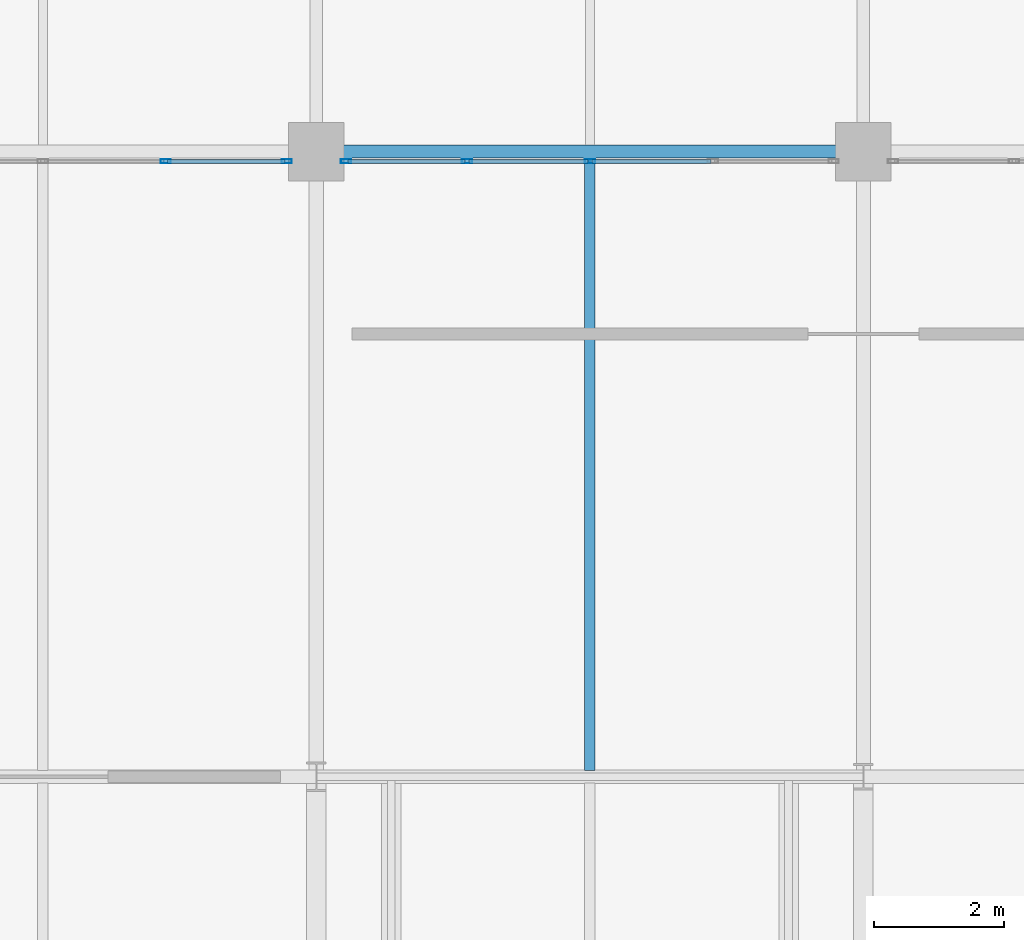
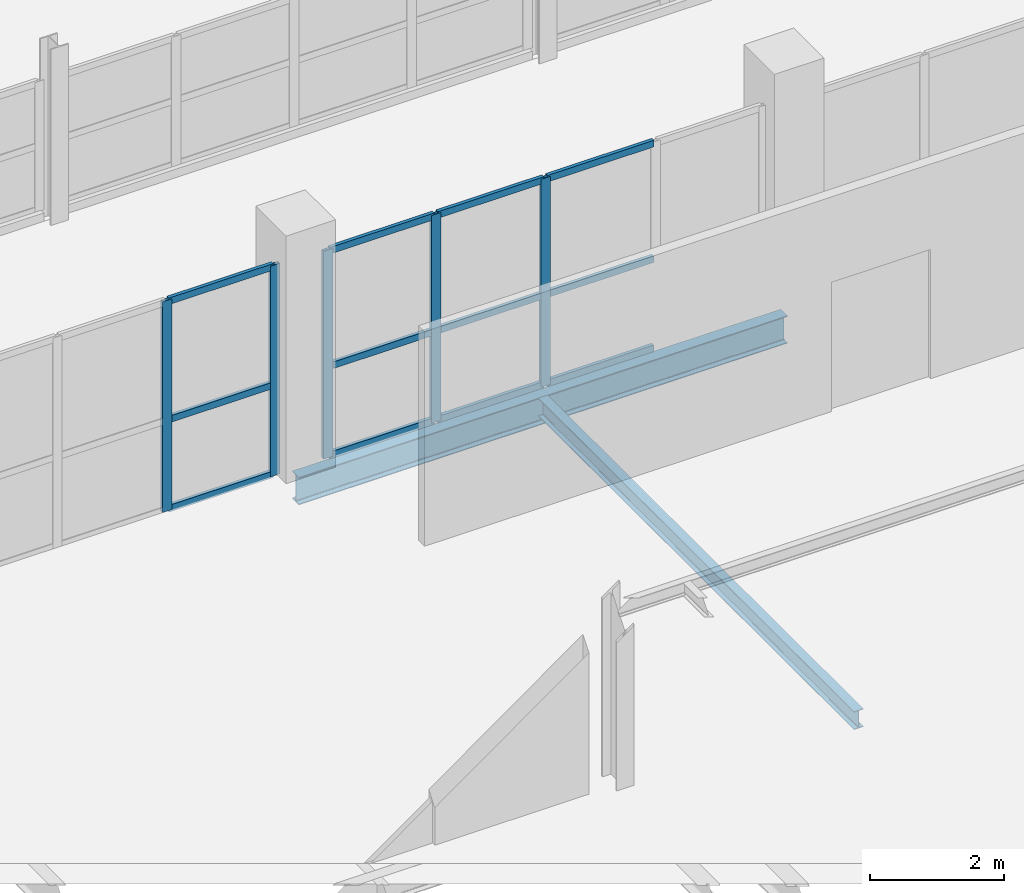
# One storey, part 22 of 103: 17 members, 2 beams, 2 elements without a shape of their own.
"""IFC4 building model written with IfcOpenShell, lengths in metres."""

from ifc_helpers import new_model, si_unit, direction, frame, origin, origin_2d, place, context, subcontext, project, spatial, hollow_rectangle, i_section, extrude, material, material_profile, profile_set, type_object, element, aggregate, save


model = new_model("IFC4")

# Units and contexts
model_context = context("Model", 3, precision=1e-05, world=origin(), true_north=direction((0.0, 1.0)))
body_context = subcontext(model_context, "Body", "Model", "MODEL_VIEW")
ifc_project = project(units=[si_unit("LENGTHUNIT", "METRE"), si_unit("AREAUNIT", "SQUARE_METRE"), si_unit("VOLUMEUNIT", "CUBIC_METRE"), si_unit("PLANEANGLEUNIT", "RADIAN"), si_unit("MASSUNIT", "GRAM", prefix="KILO")], contexts=[model_context])

# Site, building, storey
site_placement = place(None, origin())
site = spatial("IfcSite", under=ifc_project, at=site_placement, CompositionType="ELEMENT")
building_placement = place(site_placement, origin())
building = spatial("IfcBuilding", under=site, at=building_placement, Name="Veltarok Museum of Natural Sciences", CompositionType="ELEMENT")
storey_placement = place(building_placement, frame((0.0, 0.0, 21.89990234375)))
storey = spatial("IfcBuildingStorey", under=building, at=storey_placement, Name="L04", CompositionType="ELEMENT", Elevation=21.89990234375)

# Curtain wall, members
ifc_material_1 = material(Name="Low-iron triple insulated glass", Category="glass")
curtain_wall_type_1 = type_object("IfcCurtainWallType", Name="Curtain Wall System CW-V1CN4-L04-1-755x383 (CW-V1CN4 L04 755x383cm)", PredefinedType="NOTDEFINED", material=ifc_material_1)
curtain_wall_1_placement = place(storey_placement, origin())
curtain_wall_1 = element("IfcCurtainWall", 1, at=curtain_wall_1_placement, inside=storey, type_object=curtain_wall_type_1, Name="Curtain Wall CW-V1CN4-L04-1-755x383 CW-0165", PredefinedType="NOTDEFINED")
ifc_material_2 = material(Name="Thermally broken anodised aluminium", Category="aluminium")
ifc_material_profile_1 = material_profile(ifc_material_2, hollow_rectangle(XDim=0.06005859375, YDim=0.1201171875, WallThickness=0.0048828125, at=origin_2d()), Name="CW TRANSOM 60x120x5")
ifc_profile_set_1 = profile_set([ifc_material_profile_1], Name="Thermally broken anodised aluminium")
member_type_1 = type_object("IfcMemberType", Name="Curtain Wall Horizontal Transom 60x120x5", PredefinedType="USERDEFINED", material=ifc_profile_set_1)
member_1_placement = place(storey_placement, frame((64.715087890625, 19.050048828125, 0.028076171875), z_axis=(-1.0, 0.0, 0.0), x_axis=(0.0, -1.0, 0.0)))
member_1 = element("IfcMember", 2, at=member_1_placement, type_object=member_type_1, Name="CW-V1CN4-L04-1-755x383 transom 1.1", ObjectType="TRANSOM", PredefinedType="USERDEFINED", context=body_context, shape_type="SweptSolid", body=[
    extrude(hollow_rectangle(XDim=0.06005859375, YDim=0.1201171875, WallThickness=0.0048828125, at=origin_2d()), origin(), (0.0, 0.0, 1.0), 1.797607421875),
])
member_2_placement = place(storey_placement, frame((64.715087890625, 19.050048828125, 1.648193359375), z_axis=(-1.0, 0.0, 0.0), x_axis=(0.0, -1.0, 0.0)))
member_2 = element("IfcMember", 3, at=member_2_placement, type_object=member_type_1, Name="CW-V1CN4-L04-1-755x383 transom 1.2", ObjectType="TRANSOM", PredefinedType="USERDEFINED", context=body_context, shape_type="SweptSolid", body=[
    extrude(hollow_rectangle(XDim=0.06005859375, YDim=0.1201171875, WallThickness=0.0048828125, at=origin_2d()), origin(), (0.0, 0.0, 1.0), 1.797607421875),
])
member_3_placement = place(storey_placement, frame((64.715087890625, 19.050048828125, 3.800048828125), z_axis=(-1.0, 0.0, 0.0), x_axis=(0.0, -1.0, 0.0)))
member_3 = element("IfcMember", 4, at=member_3_placement, type_object=member_type_1, Name="CW-V1CN4-L04-1-755x383 transom 1.3", ObjectType="TRANSOM", PredefinedType="USERDEFINED", context=body_context, shape_type="SweptSolid", body=[
    extrude(hollow_rectangle(XDim=0.06005859375, YDim=0.1201171875, WallThickness=0.0048828125, at=origin_2d()), origin(), (0.0, 0.0, 1.0), 1.797607421875),
])

curtain_wall_type_2 = type_object("IfcCurtainWallType", Name="Curtain Wall System CW-V1CN4-L04-2-755x378 (CW-V1CN4 L04 755x378cm)", PredefinedType="NOTDEFINED", material=ifc_material_1)
curtain_wall_2_placement = place(storey_placement, origin())
curtain_wall_2 = element("IfcCurtainWall", 5, at=curtain_wall_2_placement, inside=storey, type_object=curtain_wall_type_2, Name="Curtain Wall CW-V1CN4-L04-2-755x378 CW-0166", PredefinedType="NOTDEFINED")
member_4_placement = place(storey_placement, frame((71.257568359375, 19.050048828125, 0.028076171875), z_axis=(-1.0, 0.0, 0.0), x_axis=(0.0, -1.0, 0.0)))
member_4 = element("IfcMember", 6, at=member_4_placement, type_object=member_type_1, Name="CW-V1CN4-L04-2-755x378 transom 2.1", ObjectType="TRANSOM", PredefinedType="USERDEFINED", context=body_context, shape_type="SweptSolid", body=[
    extrude(hollow_rectangle(XDim=0.06005859375, YDim=0.1201171875, WallThickness=0.0048828125, at=origin_2d()), origin(), (0.0, 0.0, 1.0), 1.82763671875),
])
member_5_placement = place(storey_placement, frame((71.257568359375, 19.050048828125, 1.648193359375), z_axis=(-1.0, 0.0, 0.0), x_axis=(0.0, -1.0, 0.0)))
member_5 = element("IfcMember", 7, at=member_5_placement, type_object=member_type_1, Name="CW-V1CN4-L04-2-755x378 transom 2.2", ObjectType="TRANSOM", PredefinedType="USERDEFINED", context=body_context, shape_type="SweptSolid", body=[
    extrude(hollow_rectangle(XDim=0.06005859375, YDim=0.1201171875, WallThickness=0.0048828125, at=origin_2d()), origin(), (0.0, 0.0, 1.0), 1.82763671875),
])
member_6_placement = place(storey_placement, frame((71.257568359375, 19.050048828125, 3.75), z_axis=(-1.0, 0.0, 0.0), x_axis=(0.0, -1.0, 0.0)))
member_6 = element("IfcMember", 8, at=member_6_placement, type_object=member_type_1, Name="CW-V1CN4-L04-2-755x378 transom 2.3", ObjectType="TRANSOM", PredefinedType="USERDEFINED", context=body_context, shape_type="SweptSolid", body=[
    extrude(hollow_rectangle(XDim=0.06005859375, YDim=0.1201171875, WallThickness=0.0048828125, at=origin_2d()), origin(), (0.0, 0.0, 1.0), 1.82763671875),
])
member_7_placement = place(storey_placement, frame((69.3701171875, 19.050048828125, 0.028076171875), z_axis=(-1.0, 0.0, 0.0), x_axis=(0.0, -1.0, 0.0)))
member_7 = element("IfcMember", 9, at=member_7_placement, type_object=member_type_1, Name="CW-V1CN4-L04-2-755x378 transom 3.1", ObjectType="TRANSOM", PredefinedType="USERDEFINED", context=body_context, shape_type="SweptSolid", body=[
    extrude(hollow_rectangle(XDim=0.06005859375, YDim=0.1201171875, WallThickness=0.0048828125, at=origin_2d()), origin(), (0.0, 0.0, 1.0), 1.82763671875),
])
member_8_placement = place(storey_placement, frame((69.3701171875, 19.050048828125, 1.648193359375), z_axis=(-1.0, 0.0, 0.0), x_axis=(0.0, -1.0, 0.0)))
member_8 = element("IfcMember", 10, at=member_8_placement, type_object=member_type_1, Name="CW-V1CN4-L04-2-755x378 transom 3.2", ObjectType="TRANSOM", PredefinedType="USERDEFINED", context=body_context, shape_type="SweptSolid", body=[
    extrude(hollow_rectangle(XDim=0.06005859375, YDim=0.1201171875, WallThickness=0.0048828125, at=origin_2d()), origin(), (0.0, 0.0, 1.0), 1.82763671875),
])
member_9_placement = place(storey_placement, frame((69.3701171875, 19.050048828125, 3.75), z_axis=(-1.0, 0.0, 0.0), x_axis=(0.0, -1.0, 0.0)))
member_9 = element("IfcMember", 11, at=member_9_placement, type_object=member_type_1, Name="CW-V1CN4-L04-2-755x378 transom 3.3", ObjectType="TRANSOM", PredefinedType="USERDEFINED", context=body_context, shape_type="SweptSolid", body=[
    extrude(hollow_rectangle(XDim=0.06005859375, YDim=0.1201171875, WallThickness=0.0048828125, at=origin_2d()), origin(), (0.0, 0.0, 1.0), 1.82763671875),
])
member_10_placement = place(storey_placement, frame((67.482421875, 19.050048828125, 0.028076171875), z_axis=(-1.0, 0.0, 0.0), x_axis=(0.0, -1.0, 0.0)))
member_10 = element("IfcMember", 12, at=member_10_placement, type_object=member_type_1, Name="CW-V1CN4-L04-2-755x378 transom 4.1", ObjectType="TRANSOM", PredefinedType="USERDEFINED", context=body_context, shape_type="SweptSolid", body=[
    extrude(hollow_rectangle(XDim=0.06005859375, YDim=0.1201171875, WallThickness=0.0048828125, at=origin_2d()), origin(), (0.0, 0.0, 1.0), 1.79736328125),
])
member_11_placement = place(storey_placement, frame((67.482421875, 19.050048828125, 1.648193359375), z_axis=(-1.0, 0.0, 0.0), x_axis=(0.0, -1.0, 0.0)))
member_11 = element("IfcMember", 13, at=member_11_placement, type_object=member_type_1, Name="CW-V1CN4-L04-2-755x378 transom 4.2", ObjectType="TRANSOM", PredefinedType="USERDEFINED", context=body_context, shape_type="SweptSolid", body=[
    extrude(hollow_rectangle(XDim=0.06005859375, YDim=0.1201171875, WallThickness=0.0048828125, at=origin_2d()), origin(), (0.0, 0.0, 1.0), 1.79736328125),
])
member_12_placement = place(storey_placement, frame((67.482421875, 19.050048828125, 3.75), z_axis=(-1.0, 0.0, 0.0), x_axis=(0.0, -1.0, 0.0)))
member_12 = element("IfcMember", 14, at=member_12_placement, type_object=member_type_1, Name="CW-V1CN4-L04-2-755x378 transom 4.3", ObjectType="TRANSOM", PredefinedType="USERDEFINED", context=body_context, shape_type="SweptSolid", body=[
    extrude(hollow_rectangle(XDim=0.06005859375, YDim=0.1201171875, WallThickness=0.0048828125, at=origin_2d()), origin(), (0.0, 0.0, 1.0), 1.79736328125),
])

# Member
ifc_material_profile_2 = material_profile(ifc_material_2, hollow_rectangle(XDim=0.06005859375, YDim=0.159912109375, WallThickness=0.0048828125, at=origin_2d()), Name="CW MULLION 60x160x5")
ifc_profile_set_2 = profile_set([ifc_material_profile_2], Name="Thermally broken anodised aluminium")
member_type_2 = type_object("IfcMemberType", Name="Curtain Wall Vertical Mullion 60x160x5", PredefinedType="MULLION", material=ifc_profile_set_2)
member_13_placement = place(storey_placement, frame((64.7451171875, 19.050048828125, -0.001953125), z_axis=(0.0, 0.0, 1.0), x_axis=(0.0, -1.0, 0.0)))
member_13 = element("IfcMember", 15, at=member_13_placement, type_object=member_type_2, Name="CW-V1CN4-L04-1-755x383 mullion 1", PredefinedType="MULLION", context=body_context, shape_type="SweptSolid", body=[
    extrude(hollow_rectangle(XDim=0.06005859375, YDim=0.159912109375, WallThickness=0.0048828125, at=origin_2d()), origin(), (0.0, 0.0, 1.0), 3.83203125),
])

member_14_placement = place(storey_placement, frame((62.887451171875, 19.050048828125, -0.001953125), z_axis=(0.0, 0.0, 1.0), x_axis=(0.0, -1.0, 0.0)))
member_14 = element("IfcMember", 16, at=member_14_placement, type_object=member_type_2, Name="CW-V1CN4-L04-1-755x383 mullion 2", PredefinedType="MULLION", context=body_context, shape_type="SweptSolid", body=[
    extrude(hollow_rectangle(XDim=0.06005859375, YDim=0.159912109375, WallThickness=0.0048828125, at=origin_2d()), origin(), (0.0, 0.0, 1.0), 3.83203125),
])

aggregate(curtain_wall_1, [member_13, member_14, member_1, member_2, member_3])

member_15_placement = place(storey_placement, frame((69.39990234375, 19.050048828125, -0.001953125), z_axis=(0.0, 0.0, 1.0), x_axis=(0.0, -1.0, 0.0)))
member_15 = element("IfcMember", 17, at=member_15_placement, type_object=member_type_2, Name="CW-V1CN4-L04-2-755x378 mullion 3", PredefinedType="MULLION", context=body_context, shape_type="SweptSolid", body=[
    extrude(hollow_rectangle(XDim=0.06005859375, YDim=0.159912109375, WallThickness=0.0048828125, at=origin_2d()), origin(), (0.0, 0.0, 1.0), 3.781982421875),
])

member_16_placement = place(storey_placement, frame((67.512451171875, 19.050048828125, -0.001953125), z_axis=(0.0, 0.0, 1.0), x_axis=(0.0, -1.0, 0.0)))
member_16 = element("IfcMember", 18, at=member_16_placement, type_object=member_type_2, Name="CW-V1CN4-L04-2-755x378 mullion 4", PredefinedType="MULLION", context=body_context, shape_type="SweptSolid", body=[
    extrude(hollow_rectangle(XDim=0.06005859375, YDim=0.159912109375, WallThickness=0.0048828125, at=origin_2d()), origin(), (0.0, 0.0, 1.0), 3.781982421875),
])

member_17_placement = place(storey_placement, frame((65.655029296875, 19.050048828125, -0.001953125), z_axis=(0.0, 0.0, 1.0), x_axis=(0.0, -1.0, 0.0)))
member_17 = element("IfcMember", 19, at=member_17_placement, type_object=member_type_2, Name="CW-V1CN4-L04-2-755x378 mullion 5", PredefinedType="MULLION", context=body_context, shape_type="SweptSolid", body=[
    extrude(hollow_rectangle(XDim=0.06005859375, YDim=0.159912109375, WallThickness=0.0048828125, at=origin_2d()), origin(), (0.0, 0.0, 1.0), 3.781982421875),
])

aggregate(curtain_wall_2, [member_15, member_16, member_17, member_4, member_5, member_6, member_7, member_8, member_9, member_10, member_11, member_12])

# Beams
ifc_material_3 = material(Name="Steel S355J2", Category="steel")
ifc_material_profile_3 = material_profile(ifc_material_3, i_section(OverallWidth=0.159912109375, OverallDepth=0.330078125, WebThickness=0.007568359375, FlangeThickness=0.011474609375, FilletRadius=0.01806640625, at=origin_2d()), Name="IPE 330")
ifc_profile_set_3 = profile_set([ifc_material_profile_3], Name="Steel S355J2")
beam_type_1 = type_object("IfcBeamType", Name="Medium-Bay Composite Joist IPE 330", PredefinedType="JOIST", material=ifc_profile_set_3)
beam_1_placement = place(storey_placement, frame((69.39990234375, 9.697998046875, -0.414794921875), z_axis=(0.0, 1.0, 0.0), x_axis=(-1.0, 0.0, 0.0)))
element("IfcBeam", 20, at=beam_1_placement, inside=storey, type_object=beam_type_1, Name="Secondary Joist BM-J02 L04 8-9/B-C.1", PredefinedType="JOIST", context=body_context, shape_type="SweptSolid", body=[
    extrude(i_section(OverallWidth=0.159912109375, OverallDepth=0.330078125, WebThickness=0.007568359375, FlangeThickness=0.011474609375, FilletRadius=0.01806640625, at=origin_2d()), origin(), (0.0, 0.0, 1.0), 9.404052734375),
])
ifc_material_profile_4 = material_profile(ifc_material_3, i_section(OverallWidth=0.199951171875, OverallDepth=0.5, WebThickness=0.01025390625, FlangeThickness=0.01611328125, FilletRadius=0.02099609375, at=origin_2d()), Name="IPE 500")
ifc_profile_set_4 = profile_set([ifc_material_profile_4], Name="Steel S355J2")
beam_type_2 = type_object("IfcBeamType", Name="Standard Gallery Girder IPE 500", PredefinedType="BEAM", material=ifc_profile_set_4)
beam_2_placement = place(storey_placement, frame((65.199951171875, 19.199951171875, -0.5), z_axis=(1.0, 0.0, 0.0), x_axis=(0.0, 1.0, 0.0)))
element("IfcBeam", 21, at=beam_2_placement, inside=storey, type_object=beam_type_2, Name="Beam BM-G04 L04 8-9/C", PredefinedType="BEAM", context=body_context, shape_type="SweptSolid", body=[
    extrude(i_section(OverallWidth=0.199951171875, OverallDepth=0.5, WebThickness=0.01025390625, FlangeThickness=0.01611328125, FilletRadius=0.02099609375, at=origin_2d()), origin(), (0.0, 0.0, 1.0), 8.400146484375),
])

save(model, "model.ifc")
